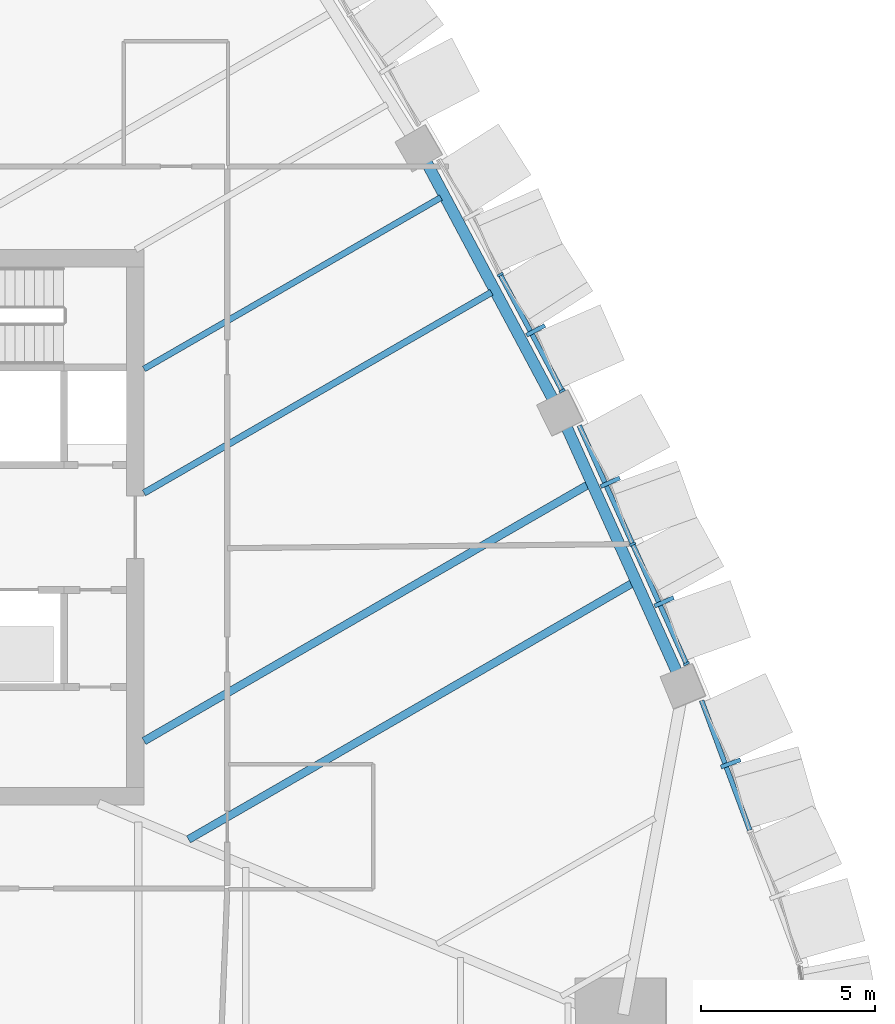
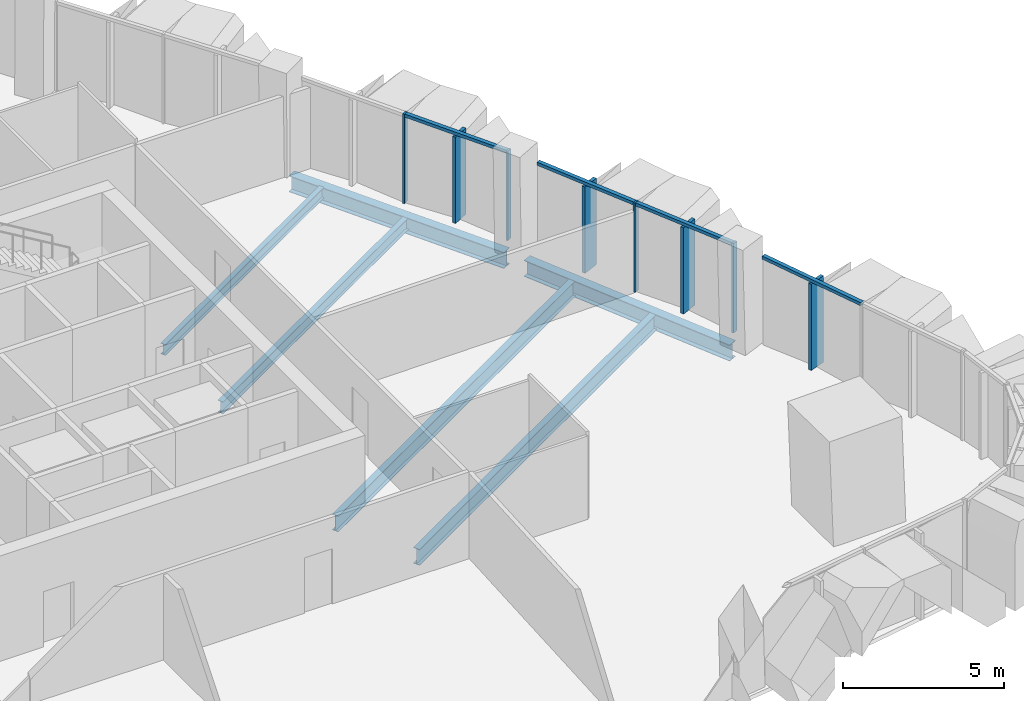
# One storey, part 5 of 18: 12 members, 6 beams, 3 elements without a shape of their own.
"""IFC4 building model written with IfcOpenShell, lengths in metres."""

from ifc_helpers import new_model, si_unit, direction, frame, origin, origin_2d, place, context, subcontext, project, spatial, rectangle, i_section, extrude, material, layer, layer_set, material_profile, profile_set, type_object, element, aggregate, save


model = new_model("IFC4")

# Units and contexts
model_context = context("Model", 3, precision=1e-05, world=origin(), true_north=direction((0.0, 1.0)))
body_context = subcontext(model_context, "Body", "Model", "MODEL_VIEW")
ifc_project = project(units=[si_unit("LENGTHUNIT", "METRE"), si_unit("AREAUNIT", "SQUARE_METRE"), si_unit("VOLUMEUNIT", "CUBIC_METRE"), si_unit("PLANEANGLEUNIT", "RADIAN"), si_unit("MASSUNIT", "GRAM", prefix="KILO")], contexts=[model_context])

# Site, building, storey
site_placement = place(None, origin())
site = spatial("IfcSite", under=ifc_project, at=site_placement, CompositionType="ELEMENT")
building_placement = place(site_placement, origin())
building = spatial("IfcBuilding", under=site, at=building_placement, Name="Sierra Prisma Convention Tower", CompositionType="ELEMENT")
storey_placement = place(building_placement, frame((0.0, 0.0, 137.800048828125)))
storey = spatial("IfcBuildingStorey", under=building, at=storey_placement, Name="L29", CompositionType="ELEMENT", Elevation=137.800048828125)

# Curtain wall, member
ifc_material_1 = material(Name="Aluminium and glass curtain wall", Category="aluminium")
ifc_layer = layer(ifc_material_1, 0.179931640625)
ifc_layer_set = layer_set([ifc_layer], Name="CW-2 Faceted crystal curtain wall")
curtain_wall_type = type_object("IfcCurtainWallType", Name="CW-2 Faceted crystal curtain wall", PredefinedType="NOTDEFINED", material=ifc_layer_set)
curtain_wall_1_placement = place(storey_placement, origin())
curtain_wall_1 = element("IfcCurtainWall", 1, at=curtain_wall_1_placement, inside=storey, type_object=curtain_wall_type, Name="CW-2 NE1 L29", PredefinedType="NOTDEFINED")
ifc_material_2 = material(Name="Aluminium 6063-T6 bronze anodised", Category="aluminium")
ifc_material_profile_1 = material_profile(ifc_material_2, rectangle(XDim=0.1201171875, YDim=0.60009765625, at=origin_2d()), Name="ALU RIDGE BLADE 120x600")
ifc_profile_set_1 = profile_set([ifc_material_profile_1], Name="Aluminium 6063-T6 bronze anodised")
member_type_1 = type_object("IfcMemberType", Name="CW hip bronze", PredefinedType="MULLION", material=ifc_profile_set_1)
member_1_placement = place(storey_placement, frame((27.903564453125, -6.79931640625, 0.0), z_axis=(0.0, 0.0, 1.0), x_axis=(-0.348576580923, 0.937280303448, 0.0)))
member_1 = element("IfcMember", 2, at=member_1_placement, type_object=member_type_1, Name="CW-2 ridge NE1.2", PredefinedType="MULLION", context=body_context, shape_type="SweptSolid", body=[
    extrude(rectangle(XDim=0.1201171875, YDim=0.60009765625, at=origin_2d()), origin(), (0.0, 0.0, 1.0), 3.280029296875),
])

# Curtain wall, members
curtain_wall_2_placement = place(storey_placement, origin())
curtain_wall_2 = element("IfcCurtainWall", 3, at=curtain_wall_2_placement, inside=storey, type_object=curtain_wall_type, Name="CW-2 NE2 L29", PredefinedType="NOTDEFINED")
member_2_placement = place(storey_placement, frame((25.984130859375, -2.14404296875, 0.0), z_axis=(0.0, 0.0, 1.0), x_axis=(-0.410562360171, 0.911832522128, 0.0)))
member_2 = element("IfcMember", 4, at=member_2_placement, type_object=member_type_1, Name="CW-2 ridge NE2.1", PredefinedType="MULLION", context=body_context, shape_type="SweptSolid", body=[
    extrude(rectangle(XDim=0.1201171875, YDim=0.60009765625, at=origin_2d()), origin(), (0.0, 0.0, 1.0), 3.280029296875),
])
member_3_placement = place(storey_placement, frame((24.433349609375, 1.30029296875, 0.0), z_axis=(0.0, 0.0, 1.0), x_axis=(-0.410562360171, 0.911832522128, 0.0)))
member_3 = element("IfcMember", 5, at=member_3_placement, type_object=member_type_1, Name="CW-2 ridge NE2.2", PredefinedType="MULLION", context=body_context, shape_type="SweptSolid", body=[
    extrude(rectangle(XDim=0.1201171875, YDim=0.60009765625, at=origin_2d()), origin(), (0.0, 0.0, 1.0), 3.280029296875),
])

# Curtain wall, member
curtain_wall_3_placement = place(storey_placement, origin())
curtain_wall_3 = element("IfcCurtainWall", 6, at=curtain_wall_3_placement, inside=storey, type_object=curtain_wall_type, Name="CW-2 NE3 L29", PredefinedType="NOTDEFINED")
member_4_placement = place(storey_placement, frame((22.283935546875, 5.67578125, 0.0), z_axis=(0.0, 0.0, 1.0), x_axis=(-0.470704785695, 0.882290771075, 0.0)))
member_4 = element("IfcMember", 7, at=member_4_placement, type_object=member_type_1, Name="CW-2 ridge NE3.1", PredefinedType="MULLION", context=body_context, shape_type="SweptSolid", body=[
    extrude(rectangle(XDim=0.1201171875, YDim=0.60009765625, at=origin_2d()), origin(), (0.0, 0.0, 1.0), 3.280029296875),
])

# Member
ifc_material_3 = material(Name="Aluminium 6063-T6 bronze anodised", Category="aluminium")
ifc_material_profile_2 = material_profile(ifc_material_3, rectangle(XDim=0.179931640625, YDim=0.070068359375, at=origin_2d()), Name="ALU MULLION 70x180")
ifc_profile_set_2 = profile_set([ifc_material_profile_2], Name="Aluminium 6063-T6 bronze anodised")
member_type_2 = type_object("IfcMemberType", Name="CW mullion bronze", PredefinedType="MULLION", material=ifc_profile_set_2)
member_5_placement = place(storey_placement, frame((26.62646484375, -3.926025390625, 0.0), z_axis=(0.0, 0.0, 1.0), x_axis=(-0.911832522128, -0.410562360171, 0.0)))
member_5 = element("IfcMember", 8, at=member_5_placement, type_object=member_type_2, Name="CW-1 mullion NE2.1", PredefinedType="MULLION", context=body_context, shape_type="SweptSolid", body=[
    extrude(rectangle(XDim=0.179931640625, YDim=0.070068359375, at=origin_2d()), origin(), (0.0, 0.0, 1.0), 3.39990234375),
])

member_6_placement = place(storey_placement, frame((25.07568359375, -0.481689453125, 0.0), z_axis=(0.0, 0.0, 1.0), x_axis=(-0.911832522128, -0.410562360171, 0.0)))
member_6 = element("IfcMember", 9, at=member_6_placement, type_object=member_type_2, Name="CW-1 mullion NE2.2", PredefinedType="MULLION", context=body_context, shape_type="SweptSolid", body=[
    extrude(rectangle(XDim=0.179931640625, YDim=0.070068359375, at=origin_2d()), origin(), (0.0, 0.0, 1.0), 3.39990234375),
])

member_7_placement = place(storey_placement, frame((23.047607421875, 3.933349609375, 0.0), z_axis=(0.0, 0.0, 1.0), x_axis=(-0.882290771075, -0.470704785695, 0.0)))
member_7 = element("IfcMember", 10, at=member_7_placement, type_object=member_type_2, Name="CW-1 mullion NE3.1", PredefinedType="MULLION", context=body_context, shape_type="SweptSolid", body=[
    extrude(rectangle(XDim=0.179931640625, YDim=0.070068359375, at=origin_2d()), origin(), (0.0, 0.0, 1.0), 3.39990234375),
])

member_8_placement = place(storey_placement, frame((21.261962890625, 7.2802734375, 0.0), z_axis=(0.0, 0.0, 1.0), x_axis=(-0.882290771075, -0.470704785695, 0.0)))
member_8 = element("IfcMember", 11, at=member_8_placement, type_object=member_type_2, Name="CW-1 mullion NE3.2", PredefinedType="MULLION", context=body_context, shape_type="SweptSolid", body=[
    extrude(rectangle(XDim=0.179931640625, YDim=0.070068359375, at=origin_2d()), origin(), (0.0, 0.0, 1.0), 3.39990234375),
])

ifc_material_4 = material(Name="Aluminium 6063-T6 bronze anodised", Category="aluminium")
ifc_material_profile_3 = material_profile(ifc_material_4, rectangle(XDim=0.139892578125, YDim=0.1201171875, at=origin_2d()), Name="ALU TRANSOM 120x140")
ifc_profile_set_3 = profile_set([ifc_material_profile_3], Name="Aluminium 6063-T6 bronze anodised")
member_type_3 = type_object("IfcMemberType", Name="CW transom bronze", PredefinedType="USERDEFINED", material=ifc_profile_set_3)
member_9_placement = place(storey_placement, frame((28.450439453125, -8.718994140625, 3.33984375), z_axis=(-0.348560775136, 0.937286181503, 0.0), x_axis=(-0.937286181503, -0.348560775136, 0.0)))
member_9 = element("IfcMember", 12, at=member_9_placement, type_object=member_type_3, Name="CW-1 transom NE1.2", ObjectType="TRANSOM", PredefinedType="USERDEFINED", context=body_context, shape_type="SweptSolid", body=[
    extrude(rectangle(XDim=0.139892578125, YDim=0.1201171875, at=origin_2d()), origin(), (0.0, 0.0, 1.0), 3.979736328125),
])

aggregate(curtain_wall_1, [member_9, member_1])

member_10_placement = place(storey_placement, frame((26.612060546875, -3.89404296875, 3.33984375), z_axis=(-0.410545396355, 0.911840160078, 0.0), x_axis=(-0.911840160078, -0.410545396355, 0.0)))
member_10 = element("IfcMember", 13, at=member_10_placement, type_object=member_type_3, Name="CW-1 transom NE2.1", ObjectType="TRANSOM", PredefinedType="USERDEFINED", context=body_context, shape_type="SweptSolid", body=[
    extrude(rectangle(XDim=0.139892578125, YDim=0.1201171875, at=origin_2d()), origin(), (0.0, 0.0, 1.0), 3.707275390625),
])

member_11_placement = place(storey_placement, frame((25.061279296875, -0.44970703125, 3.33984375), z_axis=(-0.410545396355, 0.911840160078, 0.0), x_axis=(-0.911840160078, -0.410545396355, 0.0)))
member_11 = element("IfcMember", 14, at=member_11_placement, type_object=member_type_3, Name="CW-1 transom NE2.2", ObjectType="TRANSOM", PredefinedType="USERDEFINED", context=body_context, shape_type="SweptSolid", body=[
    extrude(rectangle(XDim=0.139892578125, YDim=0.1201171875, at=origin_2d()), origin(), (0.0, 0.0, 1.0), 3.707275390625),
])

aggregate(curtain_wall_2, [member_5, member_6, member_10, member_2, member_11, member_3])

member_12_placement = place(storey_placement, frame((23.031005859375, 3.96435546875, 3.33984375), z_axis=(-0.470714148683, 0.882285775829, 0.0), x_axis=(-0.882285775829, -0.470714148683, 0.0)))
member_12 = element("IfcMember", 15, at=member_12_placement, type_object=member_type_3, Name="CW-1 transom NE3.1", ObjectType="TRANSOM", PredefinedType="USERDEFINED", context=body_context, shape_type="SweptSolid", body=[
    extrude(rectangle(XDim=0.139892578125, YDim=0.1201171875, at=origin_2d()), origin(), (0.0, 0.0, 1.0), 3.723388671875),
])

aggregate(curtain_wall_3, [member_7, member_8, member_12, member_4])

# Beams
ifc_material_5 = material(Name="Steel ASTM A992 Gr 50", Category="steel")
ifc_material_profile_4 = material_profile(ifc_material_5, i_section(OverallWidth=0.177978515625, OverallDepth=0.406982421875, WebThickness=0.0078125, FlangeThickness=0.0126953125, at=origin_2d()), Name="W410x60")
ifc_profile_set_4 = profile_set([ifc_material_profile_4], Name="Steel ASTM A992 Gr 50")
beam_type_1 = type_object("IfcBeamType", Name="Floor joist W410x60", PredefinedType="JOIST", material=ifc_profile_set_4)
beam_1_placement = place(storey_placement, frame((19.552734375, 9.501953125, -0.353515625), z_axis=(-0.866033267597, -0.499986379229, 0.0), x_axis=(0.499986379229, -0.866033267597, 0.0)))
element("IfcBeam", 16, at=beam_1_placement, inside=storey, type_object=beam_type_1, Name="Floor joist L29 NE08", PredefinedType="JOIST", context=body_context, shape_type="SweptSolid", body=[
    extrude(i_section(OverallWidth=0.177978515625, OverallDepth=0.406982421875, WebThickness=0.0078125, FlangeThickness=0.0126953125, at=origin_2d()), origin(), (0.0, 0.0, 1.0), 9.875732421875),
])
ifc_material_6 = material(Name="Steel ASTM A992 Gr 50", Category="steel")
ifc_material_profile_5 = material_profile(ifc_material_6, i_section(OverallWidth=0.18994140625, OverallDepth=0.45703125, WebThickness=0.009033203125, FlangeThickness=0.014404296875, at=origin_2d()), Name="W460x74")
ifc_profile_set_5 = profile_set([ifc_material_profile_5], Name="Steel ASTM A992 Gr 50")
beam_type_2 = type_object("IfcBeamType", Name="Floor joist W460x74", PredefinedType="JOIST", material=ifc_profile_set_5)
beam_2_placement = place(storey_placement, frame((21.01025390625, 6.77001953125, -0.378662109375), z_axis=(-0.866020974757, -0.500007671222, 0.0), x_axis=(0.500007671222, -0.866020974757, 0.0)))
element("IfcBeam", 17, at=beam_2_placement, inside=storey, type_object=beam_type_2, Name="Floor joist L29 NE07", PredefinedType="JOIST", context=body_context, shape_type="SweptSolid", body=[
    extrude(i_section(OverallWidth=0.18994140625, OverallDepth=0.45703125, WebThickness=0.009033203125, FlangeThickness=0.014404296875, at=origin_2d()), origin(), (0.0, 0.0, 1.0), 11.558837890625),
])
ifc_material_7 = material(Name="Steel ASTM A992 Gr 50", Category="steel")
ifc_material_profile_6 = material_profile(ifc_material_7, i_section(OverallWidth=0.22802734375, OverallDepth=0.60302734375, WebThickness=0.010498046875, FlangeThickness=0.014892578125, at=origin_2d()), Name="W610x101")
ifc_profile_set_6 = profile_set([ifc_material_profile_6], Name="Steel ASTM A992 Gr 50")
beam_type_3 = type_object("IfcBeamType", Name="Floor joist W610x101", PredefinedType="JOIST", material=ifc_profile_set_6)
beam_3_placement = place(storey_placement, frame((25.073974609375, -1.6044921875, -0.45166015625), z_axis=(-0.866026210096, -0.499998603424, 0.0), x_axis=(0.499998603424, -0.866026210096, 0.0)))
element("IfcBeam", 18, at=beam_3_placement, inside=storey, type_object=beam_type_3, Name="Floor joist L29 NE04", PredefinedType="JOIST", context=body_context, shape_type="SweptSolid", body=[
    extrude(i_section(OverallWidth=0.22802734375, OverallDepth=0.60302734375, WebThickness=0.010498046875, FlangeThickness=0.014892578125, at=origin_2d()), origin(), (0.0, 0.0, 1.0), 14.77001953125),
])
beam_4_placement = place(storey_placement, frame((23.796875, 1.231689453125, -0.45166015625), z_axis=(-0.866028206191, -0.499995146058, 0.0), x_axis=(0.499995146058, -0.866028206191, 0.0)))
element("IfcBeam", 19, at=beam_4_placement, inside=storey, type_object=beam_type_3, Name="Floor joist L29 NE05", PredefinedType="JOIST", context=body_context, shape_type="SweptSolid", body=[
    extrude(i_section(OverallWidth=0.22802734375, OverallDepth=0.60302734375, WebThickness=0.010498046875, FlangeThickness=0.014892578125, at=origin_2d()), origin(), (0.0, 0.0, 1.0), 14.776611328125),
])
ifc_material_8 = material(Name="Steel ASTM A992 Gr 50", Category="steel")
ifc_material_profile_7 = material_profile(ifc_material_8, i_section(OverallWidth=0.324951171875, OverallDepth=0.615966796875, WebThickness=0.013916015625, FlangeThickness=0.021484375, at=origin_2d()), Name="W610x174")
ifc_profile_set_7 = profile_set([ifc_material_profile_7], Name="Steel ASTM A992 Gr 50")
beam_type_4 = type_object("IfcBeamType", Name="Spandrel beam W610x174", PredefinedType="BEAM", material=ifc_profile_set_7)
for number, where, z_axis, x_axis, name in (
    (20, (26.384765625, -4.24072265625, -0.4580078125), (-0.410571930682, 0.911828212843, 0.0), (-0.911828212843, -0.410571930682, 0.0), "Spandrel L29-08"),
    (21, (22.81201171875, 3.631591796875, -0.4580078125), (-0.47069911244, 0.88229379775, 0.0), (-0.88229379775, -0.47069911244, 0.0), "Spandrel L29-09"),
):
    element("IfcBeam", number, at=place(storey_placement, frame(where, z_axis=z_axis, x_axis=x_axis)), inside=storey, type_object=beam_type_4, Name=name, PredefinedType="BEAM", context=body_context, shape_type="SweptSolid", body=[
        extrude(i_section(OverallWidth=0.324951171875, OverallDepth=0.615966796875, WebThickness=0.013916015625, FlangeThickness=0.021484375, at=origin_2d()), origin(), (0.0, 0.0, 1.0), 7.885498046875),
    ])

save(model, "model.ifc")
